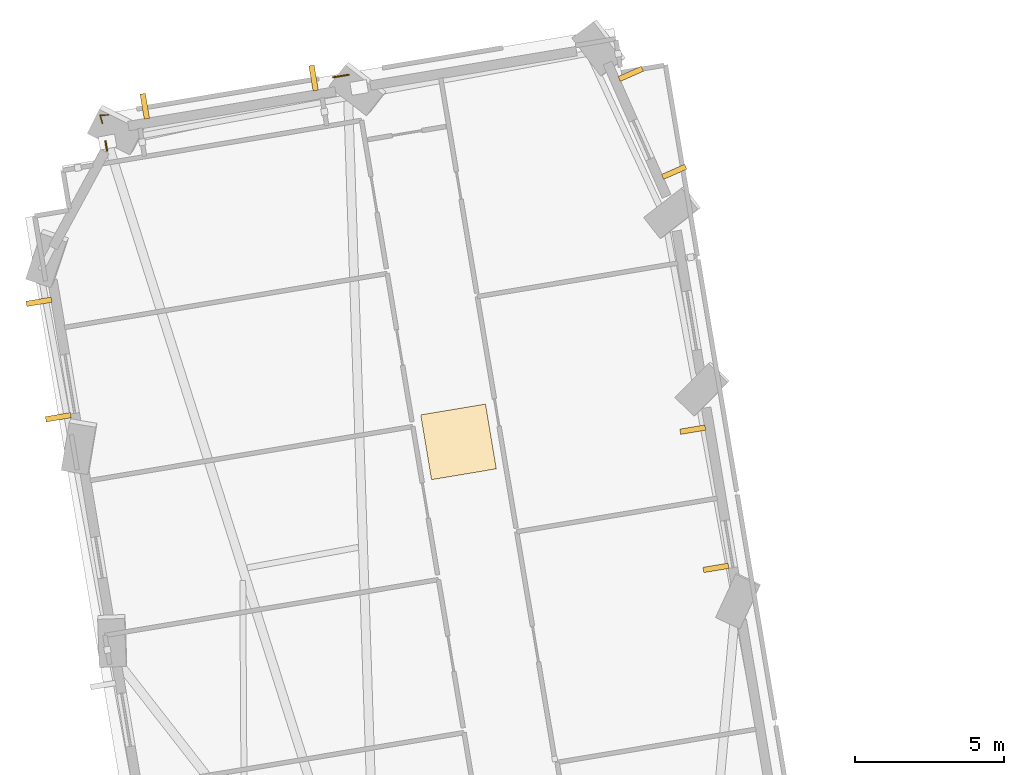
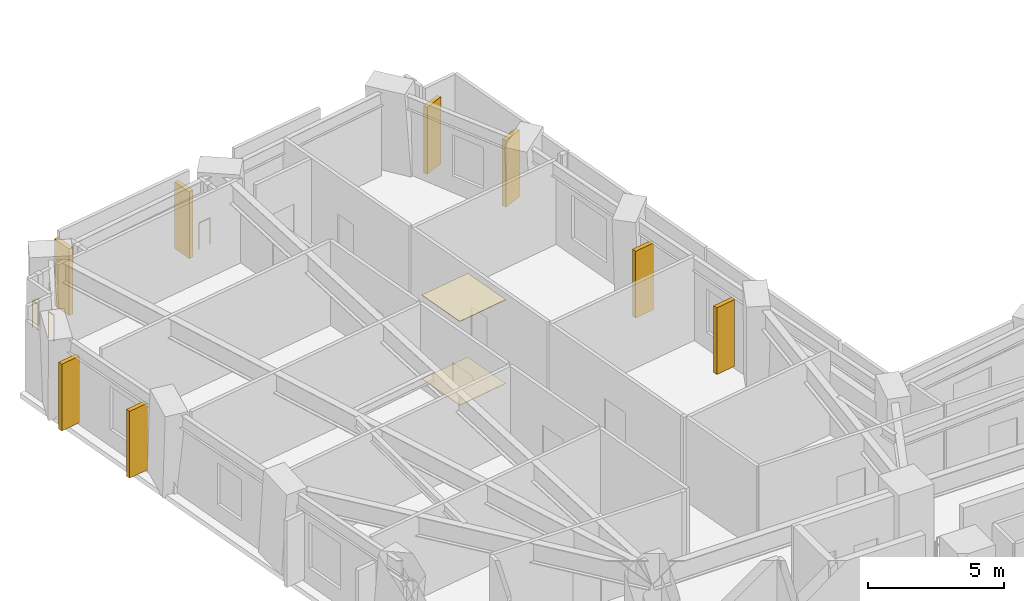
# One storey, part 16 of 16: 8 shading devices, 3 railings, 2 coverings.
"""IFC4 building model written with IfcOpenShell, lengths in metres."""

from ifc_helpers import new_model, si_unit, direction, frame, origin, origin_2d, place, context, subcontext, project, spatial, rectangle, circle, extrude, material, layer, layer_set, type_object, element, save


model = new_model("IFC4")

# Units and contexts
model_context = context("Model", 3, precision=1e-05, world=origin(), true_north=direction((0.0, 1.0)))
body_context = subcontext(model_context, "Body", "Model", "MODEL_VIEW")
ifc_project = project(units=[si_unit("LENGTHUNIT", "METRE"), si_unit("AREAUNIT", "SQUARE_METRE"), si_unit("VOLUMEUNIT", "CUBIC_METRE"), si_unit("PLANEANGLEUNIT", "RADIAN"), si_unit("MASSUNIT", "GRAM", prefix="KILO")], contexts=[model_context])

# Site, building, storey
site_placement = place(None, origin())
site = spatial("IfcSite", under=ifc_project, at=site_placement, CompositionType="ELEMENT")
building_placement = place(site_placement, origin())
building = spatial("IfcBuilding", under=site, at=building_placement, Name="Gaonmaruhae Medical Tower", CompositionType="ELEMENT")
storey_placement = place(building_placement, frame((0.0, 0.0, 63.0)))
storey = spatial("IfcBuildingStorey", under=building, at=storey_placement, Name="L14", CompositionType="ELEMENT", Elevation=63.0)

# Coverings
ifc_material_1 = material(Name="Acoustic mineral ceiling tile", Category="finish")
ifc_layer_1 = layer(ifc_material_1, 0.02490234375)
ifc_layer_set_1 = layer_set([ifc_layer_1], Name="Acoustic mineral ceiling tile")
covering_type_1 = type_object("IfcCoveringType", Name="CLG-01 Antimicrobial Acoustic Mineral Ceiling", PredefinedType="CEILING", material=ifc_layer_set_1)
covering_1_placement = place(storey_placement, frame((16.70263671875, 35.345703125, 3.755126953125), z_axis=(0.0, 0.0, 1.0), x_axis=(0.986285601537, 0.165047605861, 0.0)))
element("IfcCovering", 1, at=covering_1_placement, inside=storey, type_object=covering_type_1, Name="L14 Clinical Corridor Acoustic Ceiling", PredefinedType="CEILING", context=body_context, shape_type="SweptSolid", body=[
    extrude(rectangle(XDim=2.199951171875, YDim=2.199951171875, at=origin_2d()), origin(), (0.0, 0.0, 1.0), 0.02490234375),
])
ifc_material_2 = material(Name="Seamless clinical vinyl flooring", Category="finish")
ifc_layer_2 = layer(ifc_material_2, 0.014892578125)
ifc_layer_set_2 = layer_set([ifc_layer_2], Name="Seamless clinical vinyl flooring")
covering_type_2 = type_object("IfcCoveringType", Name="FLR-01 Seamless Clinical Antistatic Vinyl Flooring", PredefinedType="FLOORING", material=ifc_layer_set_2)
covering_2_placement = place(storey_placement, frame((16.70263671875, 35.345703125, 0.00048828125), z_axis=(0.0, 0.0, 1.0), x_axis=(0.986285601537, 0.165047605861, 0.0)))
element("IfcCovering", 2, at=covering_2_placement, inside=storey, type_object=covering_type_2, Name="L14 Clinical Corridor Vinyl Flooring", PredefinedType="FLOORING", context=body_context, shape_type="SweptSolid", body=[
    extrude(rectangle(XDim=2.199951171875, YDim=2.199951171875, at=origin_2d()), origin(), (0.0, 0.0, 1.0), 0.014892578125),
])

# Railings
ifc_material_3 = material(Name="Stainless steel 316L and laminated safety glass", Category="steel")
ifc_layer_3 = layer(ifc_material_3, 0.080078125)
ifc_layer_set_3 = layer_set([ifc_layer_3], Name="Stainless steel 316L and laminated safety glass")
railing_type = type_object("IfcRailingType", Name="GD-120 Outdoor Terrace Safety Glass & Steel Balustrade", PredefinedType="BALUSTRADE", material=ifc_layer_set_3)
railing_1_placement = place(storey_placement, frame((4.926513671875, 45.09912109375, 0.0)))
element("IfcRailing", 3, at=railing_1_placement, inside=storey, type_object=railing_type, Name="L14 Perimeter Slab Edge Safety Balustrade 05", PredefinedType="BALUSTRADE", context=body_context, shape_type="SweptSolid", body=[
    extrude(circle(Radius=0.02392578125, at=origin_2d()), frame((0.0, 0.0, 1.17578125), z_axis=(-0.165125924837, 0.986272492239, 0.0), x_axis=(-0.986272492239, -0.165125924837, 0.0)), (0.0, 0.0, 1.0), 0.32666015625),
    extrude(circle(Radius=0.02099609375, at=origin_2d()), origin(), (0.0, 0.0, 1.0), 1.15185546875),
    extrude(circle(Radius=0.02099609375, at=origin_2d()), frame((-0.053955078125, 0.322265625, 0.0)), (0.0, 0.0, 1.0), 1.15185546875),
])
railing_2_placement = place(storey_placement, frame((12.509765625, 47.561279296875, 0.0)))
element("IfcRailing", 4, at=railing_2_placement, inside=storey, type_object=railing_type, Name="L14 Perimeter Slab Edge Safety Balustrade 06", PredefinedType="BALUSTRADE", context=body_context, shape_type="SweptSolid", body=[
    extrude(circle(Radius=0.02392578125, at=origin_2d()), frame((0.0, 0.0, 1.17578125), z_axis=(0.986330044926, 0.164781802623, 0.0), x_axis=(-0.164781802623, 0.986330044926, 0.0)), (0.0, 0.0, 1.0), 0.51708984375),
    extrude(circle(Radius=0.02099609375, at=origin_2d()), origin(), (0.0, 0.0, 1.0), 1.15185546875),
    extrude(circle(Radius=0.02099609375, at=origin_2d()), frame((0.510009765625, 0.085205078125, 0.0)), (0.0, 0.0, 1.0), 1.15185546875),
])
railing_3_placement = place(storey_placement, frame((4.7734375, 46.01318359375, 0.0)))
element("IfcRailing", 5, at=railing_3_placement, inside=storey, type_object=railing_type, Name="L14 Perimeter Corner Safety Balustrade 14", PredefinedType="BALUSTRADE", context=body_context, shape_type="SweptSolid", body=[
    extrude(circle(Radius=0.02392578125, at=origin_2d()), frame((0.0, 0.0, 1.17578125), z_axis=(-0.28391467167, 0.958849549831, 0.0), x_axis=(-0.958849549831, -0.28391467167, 0.0)), (0.0, 0.0, 1.0), 0.287109375),
    extrude(circle(Radius=0.02392578125, at=origin_2d()), frame((-0.08154296875, 0.275390625, 1.17578125), z_axis=(0.99905936417, 0.043363427721, 0.0), x_axis=(-0.043363427721, 0.99905936417, 0.0)), (0.0, 0.0, 1.0), 0.287109375),
    extrude(circle(Radius=0.02099609375, at=origin_2d()), origin(), (0.0, 0.0, 1.0), 1.15185546875),
    extrude(circle(Radius=0.02099609375, at=origin_2d()), frame((-0.08154296875, 0.275390625, 0.0)), (0.0, 0.0, 1.0), 1.15185546875),
    extrude(circle(Radius=0.02099609375, at=origin_2d()), frame((0.205322265625, 0.287841796875, 0.0)), (0.0, 0.0, 1.0), 1.15185546875),
])

# Shading devices
ifc_material_4 = material(Name="Pigmented coral precast concrete C45/55", Category="concrete")
shading_device_type = type_object("IfcShadingDeviceType", Name="SD-FIN1 Tower Vertical Coral Precast Shading Fin", PredefinedType="USERDEFINED", material=ifc_material_4)
for number, where, z_axis, x_axis, name in (
    (6, (25.328125, 31.122314453125, 0.08251953125), (0.0, 0.0, 1.0), (-0.165047605861, 0.986285601537, 0.0), "L14 Vertical Coral Precast Shading Fin NE01"),
    (7, (24.552978515625, 35.75439453125, 0.08251953125), (0.0, 0.0, 1.0), (-0.165047605861, 0.986285601537, 0.0), "L14 Vertical Coral Precast Shading Fin NE01B"),
    (8, (22.474609375, 47.676025390625, 0.08251953125), (0.0, 0.0, 1.0), (0.404838386417, -0.914388255001, 0.0), "L14 Vertical Coral Precast Shading Fin NE03"),
    (9, (23.927734375, 44.394287109375, 0.08251953125), (0.0, 0.0, 1.0), (0.404838386417, -0.914388255001, 0.0), "L14 Vertical Coral Precast Shading Fin NE03B"),
    (10, (6.19091796875, 46.590087890625, 0.08251953125), (0.0, 0.0, 1.0), (0.986285601537, 0.165047605861, 0.0), "L14 Vertical Coral Precast Shading Fin N02"),
    (11, (11.846923828125, 47.53662109375, 0.08251953125), (0.0, 0.0, 1.0), (0.986285601537, 0.165047605861, 0.0), "L14 Vertical Coral Precast Shading Fin N02B"),
    (12, (3.292724609375, 36.170166015625, 0.08251953125), (0.0, 0.0, 1.0), (-0.165064819767, 0.986282720763, 0.0), "L14 Vertical Coral Precast Shading Fin W01"),
    (13, (2.645263671875, 40.03955078125, 0.08251953125), (0.0, 0.0, 1.0), (-0.165064819767, 0.986282720763, 0.0), "L14 Vertical Coral Precast Shading Fin W01B"),
):
    element("IfcShadingDevice", number, at=place(storey_placement, frame(where, z_axis=z_axis, x_axis=x_axis)), inside=storey, type_object=shading_device_type, Name=name, ObjectType="FIN", PredefinedType="USERDEFINED", context=body_context, shape_type="SweptSolid", body=[
        extrude(rectangle(XDim=0.179931640625, YDim=0.85009765625, at=origin_2d()), origin(), (0.0, 0.0, 1.0), 3.0),
    ])

save(model, "model.ifc")
